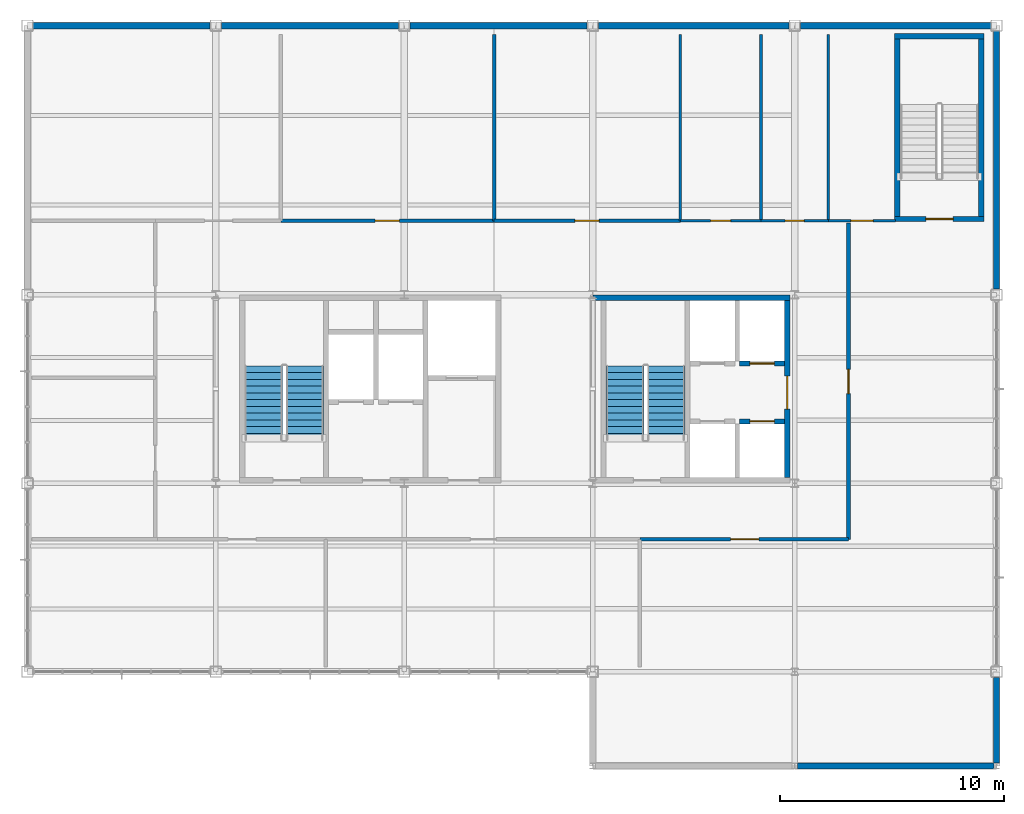
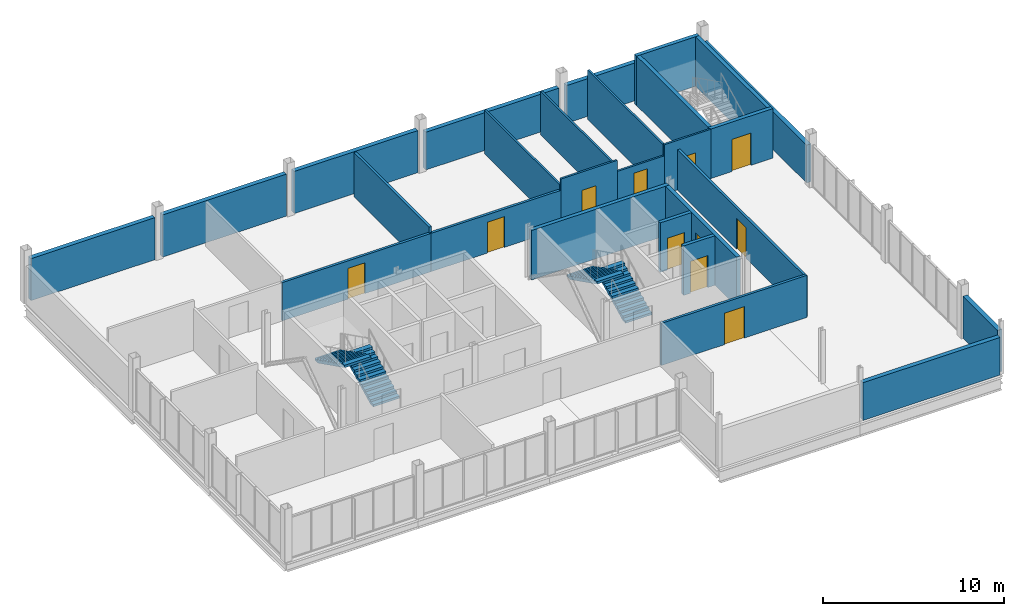
# One storey, part 13 of 16: 27 walls, 11 doors, 4 stair flights, 11 openings, 2 elements without a shape of their own.
"""IFC4 building model written with IfcOpenShell, lengths in metres."""

import ifcopenshell
import ifcopenshell.guid

model = None  # the IFC model being written
_history = None  # IfcOwnerHistory: only IFC2X3 demands one
_inside = {}  # id of a spatial element -> (the spatial element, [elements in it])
_under = {}  # id of a project, library or spatial element -> (it, [spatial elements below it])
_declared = {}  # id of a project -> (the project, [libraries it declares])
_typed = {}  # id of a type object -> (the type object, [elements of that type])
_made_of = {}  # id of a material, layer set ... -> (it, [elements and type objects made of it])


def new_model(schema):
    """Start an empty IFC model of exactly this schema.

    Asked for "IFC4X3", IfcOpenShell would pick the latest addendum, in which some entities
    have other attributes; the version numbers below select the first issue.
    IFC2X3 requires an IfcOwnerHistory on every rooted entity: one is made here for all.
    """
    global model, _history
    if schema == "IFC4X3":
        model = ifcopenshell.file(schema_version=(4, 3, 0, 0))
    else:
        model = ifcopenshell.file(schema=schema)
    _inside.clear()
    _under.clear()
    _declared.clear()
    _typed.clear()
    _made_of.clear()
    _history = None
    if model.schema == "IFC2X3":
        org = make("IfcOrganization", Name="unknown")
        user = make(
            "IfcPersonAndOrganization",
            ThePerson=make("IfcPerson", FamilyName="unknown"),
            TheOrganization=org,
        )
        app = make(
            "IfcApplication",
            ApplicationDeveloper=org,
            Version="unknown",
            ApplicationFullName="unknown",
            ApplicationIdentifier="unknown",
        )
        _history = make(
            "IfcOwnerHistory",
            OwningUser=user,
            OwningApplication=app,
            ChangeAction="ADDED",
            CreationDate=0,
        )
    return model


def make(cls, **values):
    """One entity of the class cls with the attributes given. An attribute that is None is left unset."""
    return model.create_entity(
        cls, **{name: value for name, value in values.items() if value is not None}
    )


def rooted(cls, **values):
    """An entity with a GlobalId (a new one), such as an element, a storey or a relation."""
    return make(cls, GlobalId=ifcopenshell.guid.new(), OwnerHistory=_history, **values)


def si_unit(unit_type, name, prefix=None):
    """IfcSIUnit, for example si_unit("LENGTHUNIT", "METRE", prefix="MILLI")."""
    return make("IfcSIUnit", UnitType=unit_type, Prefix=prefix, Name=name)


def assignment(units):
    """IfcUnitAssignment: the units of a project."""
    return None if units is None else make("IfcUnitAssignment", Units=units)


def point(xyz):
    """IfcCartesianPoint."""
    return None if xyz is None else make("IfcCartesianPoint", Coordinates=xyz)


def direction(xyz):
    """IfcDirection."""
    return None if xyz is None else make("IfcDirection", DirectionRatios=xyz)


def frame(location, z_axis=None, x_axis=None):
    """IfcAxis2Placement3D, a coordinate frame: its origin and axes. An axis left out is left unset."""
    return make(
        "IfcAxis2Placement3D",
        Location=point(location),
        Axis=direction(z_axis),
        RefDirection=direction(x_axis),
    )


def frame_2d(location, x_axis=None):
    """IfcAxis2Placement2D, a coordinate frame in the plane: its origin and x axis."""
    return make(
        "IfcAxis2Placement2D", Location=point(location), RefDirection=direction(x_axis)
    )


def origin():
    """The frame at (0, 0, 0) with its axes left unset."""
    return frame((0.0, 0.0, 0.0))


def place(relative_to, where):
    """IfcLocalPlacement: puts the frame where relative to a parent placement (None: the world)."""
    return make(
        "IfcLocalPlacement", PlacementRelTo=relative_to, RelativePlacement=where
    )


def context(
    kind, dimensions, precision=None, world=None, true_north=None, identifier=None
):
    """IfcGeometricRepresentationContext, for example the 3D "Model" context."""
    return make(
        "IfcGeometricRepresentationContext",
        ContextIdentifier=identifier,
        ContextType=kind,
        CoordinateSpaceDimension=dimensions,
        Precision=precision,
        WorldCoordinateSystem=world,
        TrueNorth=true_north,
    )


def subcontext(parent, identifier, kind, view, scale=None):
    """IfcGeometricRepresentationSubContext, for example "Body" below "Model"."""
    return make(
        "IfcGeometricRepresentationSubContext",
        ContextIdentifier=identifier,
        ContextType=kind,
        ParentContext=parent,
        TargetScale=scale,
        TargetView=view,
    )


def project(units=None, contexts=None):
    """IfcProject with its units and contexts."""
    return rooted(
        "IfcProject",
        Name="project",
        RepresentationContexts=contexts,
        UnitsInContext=assignment(units),
    )


def spatial(cls, under=None, at=None, **own):
    """A site, building, storey or space (cls), placed at a placement, below another one or the project."""
    s = rooted(cls, ObjectPlacement=at, **own)
    if under is not None:
        _under.setdefault(under.id(), (under, []))[1].append(s)
    return s


def polyline(points):
    """IfcPolyline through the points."""
    return make("IfcPolyline", Points=[point(p) for p in points])


def profile(cls, at=None, kind="AREA", **sizes):
    """A parametric profile (cls). Its sizes go by their IFC names, for example OverallWidth=200.0."""
    return make(cls, ProfileType=kind, Position=at, **sizes)


def rectangle(**sizes):
    """IfcRectangleProfileDef."""
    return profile("IfcRectangleProfileDef", **sizes)


def outline(outer, holes=None, kind="AREA"):
    """IfcArbitraryClosedProfileDef: a profile drawn as a closed curve; with holes, ...WithVoids."""
    if holes is None:
        return make("IfcArbitraryClosedProfileDef", ProfileType=kind, OuterCurve=outer)
    return make(
        "IfcArbitraryProfileDefWithVoids",
        ProfileType=kind,
        OuterCurve=outer,
        InnerCurves=holes,
    )


def extrude(swept, where, along, depth):
    """IfcExtrudedAreaSolid: the profile swept, set in the frame where, extruded along a direction by depth."""
    return make(
        "IfcExtrudedAreaSolid",
        SweptArea=swept,
        Position=where,
        ExtrudedDirection=direction(along),
        Depth=depth,
    )


def shape(context_of_items, identifier, shape_type, items):
    """IfcShapeRepresentation: the items that make up one representation, for example the "Body"."""
    return make(
        "IfcShapeRepresentation",
        ContextOfItems=context_of_items,
        RepresentationIdentifier=identifier,
        RepresentationType=shape_type,
        Items=items,
    )


def material(Name=None, Category=None):
    """IfcMaterial."""
    return make("IfcMaterial", Name=Name, Category=Category)


def layer(
    of_material, thickness, ventilated=None, Name=None, Category=None, Priority=None
):
    """IfcMaterialLayer: one layer of a wall or slab, of a material (None: an air gap)."""
    return make(
        "IfcMaterialLayer",
        Material=of_material,
        LayerThickness=thickness,
        IsVentilated=ventilated,
        Name=Name,
        Category=Category,
        Priority=Priority,
    )


def layer_set(layers, Name=None):
    """IfcMaterialLayerSet."""
    return make("IfcMaterialLayerSet", MaterialLayers=layers, LayerSetName=Name)


def made_of(thing, what):
    """Note that an element or type object is made of a material, layer set ...; save() writes the relation."""
    if what is not None:
        _made_of.setdefault(what.id(), (what, []))[1].append(thing)
    return thing


def type_object(cls, material=None, **own):
    """A type object (cls), such as IfcWallType, which elements share."""
    return made_of(rooted(cls, **own), material)


def element(
    cls,
    number,
    at=None,
    inside=None,
    cuts=None,
    type_object=None,
    material=None,
    context=None,
    identifier="Body",
    shape_type=None,
    held_by="IfcProductDefinitionShape",
    body=None,
    shapes=None,
    **own,
):
    """One element of the class cls, such as IfcWall. Its Tag is "e" and its number.

    at: its placement. inside: the storey or other place that contains it. cuts: it is an
    opening in that element (IfcRelVoidsElement). A single representation is given by context,
    identifier, shape_type and body (its items); several are given by shapes. held_by: the class
    of the entity that holds the representations. save() writes the other relations.
    """
    e = rooted(cls, Tag="e%d" % number, ObjectPlacement=at, **own)
    if body is not None:
        shapes = [shape(context, identifier, shape_type, body)]
    if shapes is not None:
        e.Representation = make(held_by, Representations=shapes)
    if inside is not None:
        _inside.setdefault(inside.id(), (inside, []))[1].append(e)
    if cuts is not None:
        rooted(
            "IfcRelVoidsElement", RelatingBuildingElement=cuts, RelatedOpeningElement=e
        )
    if type_object is not None:
        _typed.setdefault(type_object.id(), (type_object, []))[1].append(e)
    return made_of(e, material)


def fill(opening, filler):
    """IfcRelFillsElement: the door or window that sits in an opening."""
    return rooted(
        "IfcRelFillsElement",
        RelatingOpeningElement=opening,
        RelatedBuildingElement=filler,
    )


def aggregate(whole, parts):
    """IfcRelAggregates: a whole, such as a stair, and the parts it consists of."""
    return rooted("IfcRelAggregates", RelatingObject=whole, RelatedObjects=parts)


def save(model, path):
    """Write the relations noted so far, then the file.

    IfcRelAggregates (storeys below a building ...), IfcRelContainedInSpatialStructure (elements
    in a storey), IfcRelDefinesByType, IfcRelAssociatesMaterial and IfcRelDeclares: one each for
    every whole, place, type object, material and project.
    """
    for whole, parts in _under.values():
        aggregate(whole, parts)
    for where, things in _inside.values():
        rooted(
            "IfcRelContainedInSpatialStructure",
            RelatedElements=things,
            RelatingStructure=where,
        )
    for kind, things in _typed.values():
        rooted("IfcRelDefinesByType", RelatedObjects=things, RelatingType=kind)
    for what, things in _made_of.values():
        rooted("IfcRelAssociatesMaterial", RelatedObjects=things, RelatingMaterial=what)
    for by, libraries in _declared.values():
        rooted("IfcRelDeclares", RelatingContext=by, RelatedDefinitions=libraries)
    model.write(path)


model = new_model("IFC4")

# Units and contexts
model_context = context("Model", 3, precision=1e-05, world=origin(), true_north=direction((0.0, 1.0)))
body_context = subcontext(model_context, "Body", "Model", "MODEL_VIEW")
ifc_project = project(units=[si_unit("LENGTHUNIT", "METRE"), si_unit("AREAUNIT", "SQUARE_METRE"), si_unit("VOLUMEUNIT", "CUBIC_METRE"), si_unit("PLANEANGLEUNIT", "RADIAN"), si_unit("MASSUNIT", "GRAM", prefix="KILO")], contexts=[model_context])

# Site, building, storey
site_placement = place(None, origin())
site = spatial("IfcSite", under=ifc_project, at=site_placement, CompositionType="ELEMENT")
building_placement = place(site_placement, origin())
building = spatial("IfcBuilding", under=site, at=building_placement, Name="Yukiwa Park Conservatory and Herbarium", CompositionType="ELEMENT")
storey_placement = place(building_placement, frame((0.0, 0.0, 39.60009765625)))
storey = spatial("IfcBuildingStorey", under=building, at=storey_placement, Name="L10", CompositionType="ELEMENT", Elevation=39.60009765625)

# Wall, opening, door
ifc_material_1 = material(Name="Concrete C40", Category="concrete")
ifc_layer_1 = layer(ifc_material_1, 0.219970703125)
ifc_layer_set_1 = layer_set([ifc_layer_1], Name="Concrete C40")
wall_type_1 = type_object("IfcWallType", Name="WL-CORE-RC220", PredefinedType="SHEAR", material=ifc_layer_set_1)
wall_1_placement = place(storey_placement, frame((156.550048828125, 100.139892578125, 0.0), z_axis=(0.0, 0.0, 1.0), x_axis=(1.0, 0.0, 0.0)))
wall_1 = element("IfcWall", 1, at=wall_1_placement, inside=storey, type_object=wall_type_1, Name="L10 core shear wall 631", PredefinedType="SHEAR", context=body_context, shape_type="SweptSolid", body=[
    extrude(rectangle(XDim=2.0, YDim=0.219970703125, at=frame_2d((1.0, 0.0))), origin(), (0.0, 0.0, 1.0), 3.341796875),
])
opening_1_placement = place(wall_1_placement, frame((0.449951171875, 0.0, 0.0)))
opening_1 = element("IfcOpeningElement", 2, at=opening_1_placement, cuts=wall_1, Name="Opening LD-01", PredefinedType="OPENING", context=body_context, shape_type="SweptSolid", body=[
    extrude(rectangle(XDim=1.10009765625, YDim=2.14990234375, at=frame_2d((0.550048828125, 1.074951171875))), frame((0.0, 0.1201171875, 0.0), z_axis=(0.0, -1.0, 0.0), x_axis=(1.0, 0.0, 0.0)), (0.0, 0.0, 1.0), 0.239990234375),
])
ifc_material_2 = material(Name="Steel Q235B", Category="steel")
door_type_1 = type_object("IfcDoorType", Name="DR-LIFT-LD1100", OperationType="SLIDING_TO_LEFT", PredefinedType="DOOR", material=ifc_material_2)
door_1_placement = place(opening_1_placement, origin())
door_1 = element("IfcDoor", 3, at=door_1_placement, inside=storey, type_object=door_type_1, Name="L10 Passenger Lift LP2 sliding landing door", OperationType="SLIDING_TO_LEFT", OverallHeight=2.14990234375, OverallWidth=1.10009765625, PredefinedType="DOOR", context=body_context, shape_type="SweptSolid", body=[
    extrude(rectangle(XDim=1.10009765625, YDim=2.14990234375, at=frame_2d((0.550048828125, 1.074951171875))), frame((0.0, 0.02490234375, 0.0), z_axis=(0.0, -1.0, 0.0), x_axis=(1.0, 0.0, 0.0)), (0.0, 0.0, 1.0), 0.050048828125),
])
fill(opening_1, door_1)

wall_2_placement = place(storey_placement, frame((156.550048828125, 97.56005859375, 0.0), z_axis=(0.0, 0.0, 1.0), x_axis=(1.0, 0.0, 0.0)))
wall_2 = element("IfcWall", 4, at=wall_2_placement, inside=storey, type_object=wall_type_1, Name="L10 core shear wall 634", PredefinedType="SHEAR", context=body_context, shape_type="SweptSolid", body=[
    extrude(rectangle(XDim=2.0, YDim=0.219970703125, at=frame_2d((1.0, 0.0))), origin(), (0.0, 0.0, 1.0), 3.341796875),
])
opening_2_placement = place(wall_2_placement, frame((0.449951171875, 0.0, 0.0)))
opening_2 = element("IfcOpeningElement", 5, at=opening_2_placement, cuts=wall_2, Name="Opening LD-01", PredefinedType="OPENING", context=body_context, shape_type="SweptSolid", body=[
    extrude(rectangle(XDim=1.10009765625, YDim=2.14990234375, at=frame_2d((0.550048828125, 1.074951171875))), frame((0.0, 0.1201171875, 0.0), z_axis=(0.0, -1.0, 0.0), x_axis=(1.0, 0.0, 0.0)), (0.0, 0.0, 1.0), 0.239990234375),
])
door_2_placement = place(opening_2_placement, origin())
door_2 = element("IfcDoor", 6, at=door_2_placement, inside=storey, type_object=door_type_1, Name="L10 Passenger Lift LP4 sliding landing door", OperationType="SLIDING_TO_LEFT", OverallHeight=2.14990234375, OverallWidth=1.10009765625, PredefinedType="DOOR", context=body_context, shape_type="SweptSolid", body=[
    extrude(rectangle(XDim=1.10009765625, YDim=2.14990234375, at=frame_2d((0.550048828125, 1.074951171875))), frame((0.0, 0.02490234375, 0.0), z_axis=(0.0, -1.0, 0.0), x_axis=(1.0, 0.0, 0.0)), (0.0, 0.0, 1.0), 0.050048828125),
])
fill(opening_2, door_2)

# Wall
ifc_material_3 = material(Name="Concrete C50", Category="concrete")
ifc_layer_2 = layer(ifc_material_3, 0.239990234375)
ifc_layer_set_2 = layer_set([ifc_layer_2], Name="Concrete C50")
wall_type_2 = type_object("IfcWallType", Name="WL-CORE-RC240", PredefinedType="SHEAR", material=ifc_layer_set_2)
wall_3_placement = place(storey_placement, frame((150.02001953125, 103.070068359375, 0.0), z_axis=(0.0, 0.0, 1.0), x_axis=(1.0, 0.0, 0.0)))
element("IfcWall", 7, at=wall_3_placement, inside=storey, type_object=wall_type_2, Name="L10 core shear wall 625", PredefinedType="SHEAR", context=body_context, shape_type="SweptSolid", body=[
    extrude(rectangle(XDim=8.77001953125, YDim=0.239990234375, at=frame_2d((4.385009765625, 0.0))), origin(), (0.0, 0.0, 1.0), 3.341796875),
])

# Wall, opening, door
wall_4_placement = place(storey_placement, frame((158.669921875, 95.050048828125, 0.0), z_axis=(0.0, 0.0, 1.0), x_axis=(0.0, 1.0, 0.0)))
wall_4 = element("IfcWall", 8, at=wall_4_placement, inside=storey, type_object=wall_type_2, Name="L10 core shear wall 628", PredefinedType="SHEAR", context=body_context, shape_type="SweptSolid", body=[
    extrude(rectangle(XDim=7.89990234375, YDim=0.239990234375, at=frame_2d((3.949951171875, 0.0))), origin(), (0.0, 0.0, 1.0), 3.341796875),
])
opening_3_placement = place(wall_4_placement, frame((3.050048828125, 0.0, 0.0)))
opening_3 = element("IfcOpeningElement", 9, at=opening_3_placement, cuts=wall_4, Name="Opening FD-07", PredefinedType="OPENING", context=body_context, shape_type="SweptSolid", body=[
    extrude(rectangle(XDim=1.47998046875, YDim=2.219970703125, at=frame_2d((0.739990234375, 1.10986328125))), frame((0.0, 0.1298828125, 0.0), z_axis=(0.0, -1.0, 0.0), x_axis=(1.0, 0.0, 0.0)), (0.0, 0.0, 1.0), 0.260009765625),
])
ifc_material_4 = material(Name="Steel Q235B", Category="steel")
door_type_2 = type_object("IfcDoorType", Name="DR-FIRE-FD60-1500", OperationType="DOUBLE_DOOR_SINGLE_SWING", PredefinedType="DOOR", material=ifc_material_4)
door_3_placement = place(opening_3_placement, origin())
door_3 = element("IfcDoor", 10, at=door_3_placement, inside=storey, type_object=door_type_2, Name="L10 Tower Passenger Lift Lobby double fire door", OperationType="DOUBLE_DOOR_SINGLE_SWING", OverallHeight=2.219970703125, OverallWidth=1.47998046875, PredefinedType="DOOR", context=body_context, shape_type="SweptSolid", body=[
    extrude(rectangle(XDim=1.47998046875, YDim=2.219970703125, at=frame_2d((0.739990234375, 1.10986328125))), frame((0.0, 0.02490234375, 0.0), z_axis=(0.0, -1.0, 0.0), x_axis=(1.0, 0.0, 0.0)), (0.0, 0.0, 1.0), 0.050048828125),
])
fill(opening_3, door_3)

wall_5_placement = place(storey_placement, frame((163.449951171875, 106.580078125, 0.0), z_axis=(0.0, 0.0, 1.0), x_axis=(1.0, 0.0, 0.0)))
wall_5 = element("IfcWall", 11, at=wall_5_placement, inside=storey, type_object=wall_type_2, Name="L10 core shear wall 635", PredefinedType="SHEAR", context=body_context, shape_type="SweptSolid", body=[
    extrude(rectangle(XDim=3.989990234375, YDim=0.239990234375, at=frame_2d((1.9951171875, 0.0))), origin(), (0.0, 0.0, 1.0), 3.341796875),
])
opening_4_placement = place(wall_5_placement, frame((1.39501953125, 0.0, 0.0)))
opening_4 = element("IfcOpeningElement", 12, at=opening_4_placement, cuts=wall_5, Name="Opening SD-01", PredefinedType="OPENING", context=body_context, shape_type="SweptSolid", body=[
    extrude(rectangle(XDim=1.219970703125, YDim=2.179931640625, at=frame_2d((0.60986328125, 1.08984375))), frame((0.0, 0.1298828125, 0.0), z_axis=(0.0, -1.0, 0.0), x_axis=(1.0, 0.0, 0.0)), (0.0, 0.0, 1.0), 0.260009765625),
])
ifc_material_5 = material(Name="Steel Q235B", Category="steel")
door_type_3 = type_object("IfcDoorType", Name="DR-STAIR-FD90-1200", OperationType="SINGLE_SWING_LEFT", PredefinedType="DOOR", material=ifc_material_5)
door_4_placement = place(opening_4_placement, origin())
door_4 = element("IfcDoor", 13, at=door_4_placement, inside=storey, type_object=door_type_3, Name="L10 Stairwell ST-T3 fire door", OperationType="SINGLE_SWING_LEFT", OverallHeight=2.179931640625, OverallWidth=1.219970703125, PredefinedType="DOOR", context=body_context, shape_type="SweptSolid", body=[
    extrude(rectangle(XDim=1.219970703125, YDim=2.179931640625, at=frame_2d((0.60986328125, 1.08984375))), frame((0.0, 0.02490234375, 0.0), z_axis=(0.0, -1.0, 0.0), x_axis=(1.0, 0.0, 0.0)), (0.0, 0.0, 1.0), 0.050048828125),
])
fill(opening_4, door_4)

# Walls
wall_6_placement = place(storey_placement, frame((163.449951171875, 114.719970703125, 0.0), z_axis=(0.0, 0.0, 1.0), x_axis=(1.0, 0.0, 0.0)))
element("IfcWall", 14, at=wall_6_placement, inside=storey, type_object=wall_type_2, Name="L10 core shear wall 636", PredefinedType="SHEAR", context=body_context, shape_type="SweptSolid", body=[
    extrude(rectangle(XDim=3.989990234375, YDim=0.239990234375, at=frame_2d((1.9951171875, 0.0))), origin(), (0.0, 0.0, 1.0), 3.341796875),
])
for number, where, z_axis, x_axis, name in (
    (15, (163.570068359375, 106.699951171875, 0.0), (0.0, 0.0, 1.0), (0.0, 1.0, 0.0), "L10 core shear wall 637"),
    (16, (167.320068359375, 106.699951171875, 0.0), (0.0, 0.0, 1.0), (0.0, 1.0, 0.0), "L10 core shear wall 638"),
):
    element("IfcWall", number, at=place(storey_placement, frame(where, z_axis=z_axis, x_axis=x_axis)), inside=storey, type_object=wall_type_2, Name=name, PredefinedType="SHEAR", context=body_context, shape_type="SweptSolid", body=[
        extrude(rectangle(XDim=7.900146484375, YDim=0.239990234375, at=frame_2d((3.9501953125, 0.0))), origin(), (0.0, 0.0, 1.0), 3.341796875),
    ])
ifc_material_6 = material(Name="Pale Granite Cladding", Category="masonry")
ifc_layer_3 = layer(ifc_material_6, 0.280029296875)
ifc_layer_set_3 = layer_set([ifc_layer_3], Name="Pale Granite Cladding")
wall_type_3 = type_object("IfcWallType", Name="WL-EXT-GRAN-280", PredefinedType="SOLIDWALL", material=ifc_layer_set_3)
wall_7_placement = place(storey_placement, frame((168.0, 82.324951171875, 0.0), z_axis=(0.0, 0.0, 1.0), x_axis=(0.0, 1.0, 0.0)))
element("IfcWall", 17, at=wall_7_placement, inside=storey, type_object=wall_type_3, Name="L10 exterior envelope wall 348", PredefinedType="SOLIDWALL", context=body_context, shape_type="SweptSolid", body=[
    extrude(rectangle(XDim=3.824951171875, YDim=0.280029296875, at=frame_2d((1.91259765625, 0.0))), origin(), (0.0, 0.0, 1.0), 2.847900390625),
])
wall_8_placement = place(storey_placement, frame((168.0, 103.449951171875, 0.0), z_axis=(0.0, 0.0, 1.0), x_axis=(0.0, 1.0, 0.0)))
element("IfcWall", 18, at=wall_8_placement, inside=storey, type_object=wall_type_3, Name="L10 exterior envelope wall 349", PredefinedType="SOLIDWALL", context=body_context, shape_type="SweptSolid", body=[
    extrude(rectangle(XDim=11.5, YDim=0.280029296875, at=frame_2d((5.75, 0.0))), origin(), (0.0, 0.0, 1.0), 2.5498046875),
])
for number, where, z_axis, x_axis, name in (
    (19, (167.75, 115.199951171875, 0.0), (0.0, 0.0, 1.0), (-1.0, 0.0, 0.0), "L10 exterior envelope wall 350"),
    (20, (158.75, 115.199951171875, 0.0), (0.0, 0.0, 1.0), (-1.0, 0.0, 0.0), "L10 exterior envelope wall 351"),
):
    element("IfcWall", number, at=place(storey_placement, frame(where, z_axis=z_axis, x_axis=x_axis)), inside=storey, type_object=wall_type_3, Name=name, PredefinedType="SOLIDWALL", context=body_context, shape_type="SweptSolid", body=[
        extrude(rectangle(XDim=8.5, YDim=0.280029296875, at=frame_2d((4.25, 0.0))), origin(), (0.0, 0.0, 1.0), 2.5498046875),
    ])
wall_9_placement = place(storey_placement, frame((149.75, 115.199951171875, 0.0), z_axis=(0.0, 0.0, 1.0), x_axis=(-1.0, 0.0, 0.0)))
element("IfcWall", 21, at=wall_9_placement, inside=storey, type_object=wall_type_3, Name="L10 exterior envelope wall 352", PredefinedType="SOLIDWALL", context=body_context, shape_type="SweptSolid", body=[
    extrude(rectangle(XDim=7.89990234375, YDim=0.280029296875, at=frame_2d((3.949951171875, 0.0))), origin(), (0.0, 0.0, 1.0), 2.841796875),
])
wall_10_placement = place(storey_placement, frame((141.35009765625, 115.199951171875, 0.0), z_axis=(0.0, 0.0, 1.0), x_axis=(-1.0, 0.0, 0.0)))
element("IfcWall", 22, at=wall_10_placement, inside=storey, type_object=wall_type_3, Name="L10 exterior envelope wall 353", PredefinedType="SOLIDWALL", context=body_context, shape_type="SweptSolid", body=[
    extrude(rectangle(XDim=7.900146484375, YDim=0.280029296875, at=frame_2d((3.9501953125, 0.0))), origin(), (0.0, 0.0, 1.0), 2.841796875),
])
wall_11_placement = place(storey_placement, frame((132.949951171875, 115.199951171875, 0.0), z_axis=(0.0, 0.0, 1.0), x_axis=(-1.0, 0.0, 0.0)))
element("IfcWall", 23, at=wall_11_placement, inside=storey, type_object=wall_type_3, Name="L10 exterior envelope wall 354", PredefinedType="SOLIDWALL", context=body_context, shape_type="SweptSolid", body=[
    extrude(rectangle(XDim=7.89990234375, YDim=0.280029296875, at=frame_2d((3.949951171875, 0.0))), origin(), (0.0, 0.0, 1.0), 2.841796875),
])
wall_12_placement = place(storey_placement, frame((159.125, 82.199951171875, 0.0), z_axis=(0.0, 0.0, 1.0), x_axis=(1.0, 0.0, 0.0)))
element("IfcWall", 24, at=wall_12_placement, inside=storey, type_object=wall_type_3, Name="L10 exterior envelope wall 358", PredefinedType="SOLIDWALL", context=body_context, shape_type="SweptSolid", body=[
    extrude(rectangle(XDim=8.75, YDim=0.280029296875, at=frame_2d((4.375, 0.0))), origin(), (0.0, 0.0, 1.0), 2.5498046875),
])

# Wall, opening, door
ifc_material_7 = material(Name="Gypsum Board Partition", Category="gypsum")
ifc_layer_4 = layer(ifc_material_7, 0.159912109375)
ifc_layer_set_4 = layer_set([ifc_layer_4], Name="Gypsum Board Partition")
wall_type_4 = type_object("IfcWallType", Name="WL-PART-GYP-160", PredefinedType="PARTITIONING", material=ifc_layer_set_4)
wall_13_placement = place(storey_placement, frame((161.39990234375, 92.300048828125, 0.0), z_axis=(0.0, 0.0, 1.0), x_axis=(0.0, 1.0, 0.0)))
wall_13 = element("IfcWall", 25, at=wall_13_placement, inside=storey, type_object=wall_type_4, Name="L10 interior partition wall 645", PredefinedType="PARTITIONING", context=body_context, shape_type="SweptSolid", body=[
    extrude(rectangle(XDim=14.099853515625, YDim=0.159912109375, at=frame_2d((7.0498046875, 0.0))), origin(), (0.0, 0.0, 1.0), 2.745849609375),
])
opening_5_placement = place(wall_13_placement, frame((6.5, 0.0, 0.0)))
opening_5 = element("IfcOpeningElement", 26, at=opening_5_placement, cuts=wall_13, Name="Opening ID-11", PredefinedType="OPENING", context=body_context, shape_type="SweptSolid", body=[
    extrude(rectangle(XDim=1.080078125, YDim=2.080078125, at=frame_2d((0.5400390625, 1.0400390625))), frame((0.0, 0.08984375, 0.0), z_axis=(0.0, -1.0, 0.0), x_axis=(1.0, 0.0, 0.0)), (0.0, 0.0, 1.0), 0.179931640625),
])
ifc_material_8 = material(Name="Charred Larch Cladding", Category="wood")
door_type_4 = type_object("IfcDoorType", Name="DR-INT-1100", OperationType="SINGLE_SWING_RIGHT", PredefinedType="DOOR", material=ifc_material_8)
door_5_placement = place(opening_5_placement, origin())
door_5 = element("IfcDoor", 27, at=door_5_placement, inside=storey, type_object=door_type_4, Name="L10 L10 east room door", OperationType="SINGLE_SWING_RIGHT", OverallHeight=2.080078125, OverallWidth=1.080078125, PredefinedType="DOOR", context=body_context, shape_type="SweptSolid", body=[
    extrude(rectangle(XDim=1.080078125, YDim=2.080078125, at=frame_2d((0.5400390625, 1.0400390625))), frame((0.0, 0.02490234375, 0.0), z_axis=(0.0, -1.0, 0.0), x_axis=(1.0, 0.0, 0.0)), (0.0, 0.0, 1.0), 0.050048828125),
])
fill(opening_5, door_5)

wall_14_placement = place(storey_placement, frame((152.10009765625, 92.300048828125, 0.0), z_axis=(0.0, 0.0, 1.0), x_axis=(1.0, 0.0, 0.0)))
wall_14 = element("IfcWall", 28, at=wall_14_placement, inside=storey, type_object=wall_type_4, Name="L10 interior partition wall 648", PredefinedType="PARTITIONING", context=body_context, shape_type="SweptSolid", body=[
    extrude(rectangle(XDim=9.2998046875, YDim=0.159912109375, at=frame_2d((4.64990234375, 0.0))), origin(), (0.0, 0.0, 1.0), 2.841796875),
])
opening_6_placement = place(wall_14_placement, frame((4.050048828125, 0.0, 0.0)))
opening_6 = element("IfcOpeningElement", 29, at=opening_6_placement, cuts=wall_14, Name="Opening LD-12", PredefinedType="OPENING", context=body_context, shape_type="SweptSolid", body=[
    extrude(rectangle(XDim=1.25, YDim=2.1201171875, at=frame_2d((0.625, 1.06005859375))), frame((0.0, 0.08984375, 0.0), z_axis=(0.0, -1.0, 0.0), x_axis=(1.0, 0.0, 0.0)), (0.0, 0.0, 1.0), 0.179931640625),
])
ifc_material_9 = material(Name="Steel Q235B", Category="steel")
door_type_5 = type_object("IfcDoorType", Name="DR-LAB-1200", OperationType="SINGLE_SWING_LEFT", PredefinedType="DOOR", material=ifc_material_9)
door_6_placement = place(opening_6_placement, origin())
door_6 = element("IfcDoor", 30, at=door_6_placement, inside=storey, type_object=door_type_5, Name="L10 Assay Lab door", OperationType="SINGLE_SWING_LEFT", OverallHeight=2.1201171875, OverallWidth=1.25, PredefinedType="DOOR", context=body_context, shape_type="SweptSolid", body=[
    extrude(rectangle(XDim=1.25, YDim=2.1201171875, at=frame_2d((0.625, 1.06005859375))), frame((0.0, 0.02490234375, 0.0), z_axis=(0.0, -1.0, 0.0), x_axis=(1.0, 0.0, 0.0)), (0.0, 0.0, 1.0), 0.050048828125),
])
fill(opening_6, door_6)

wall_15_placement = place(storey_placement, frame((136.10009765625, 106.5, 0.0), z_axis=(0.0, 0.0, 1.0), x_axis=(1.0, 0.0, 0.0)))
wall_15 = element("IfcWall", 31, at=wall_15_placement, inside=storey, type_object=wall_type_4, Name="L10 interior partition wall 657", PredefinedType="PARTITIONING", context=body_context, shape_type="SweptSolid", body=[
    extrude(rectangle(XDim=9.5, YDim=0.159912109375, at=frame_2d((4.75, 0.0))), origin(), (0.0, 0.0, 1.0), 2.591796875),
])
opening_7_placement = place(wall_15_placement, frame((4.199951171875, 0.0, 0.0)))
opening_7 = element("IfcOpeningElement", 32, at=opening_7_placement, cuts=wall_15, Name="Opening ID-11", PredefinedType="OPENING", context=body_context, shape_type="SweptSolid", body=[
    extrude(rectangle(XDim=1.080078125, YDim=2.080078125, at=frame_2d((0.5400390625, 1.0400390625))), frame((0.0, 0.08984375, 0.0), z_axis=(0.0, -1.0, 0.0), x_axis=(1.0, 0.0, 0.0)), (0.0, 0.0, 1.0), 0.179931640625),
])
door_7_placement = place(opening_7_placement, origin())
door_7 = element("IfcDoor", 33, at=door_7_placement, inside=storey, type_object=door_type_4, Name="L10 Tree-Ring Archive door", OperationType="SINGLE_SWING_RIGHT", OverallHeight=2.080078125, OverallWidth=1.080078125, PredefinedType="DOOR", context=body_context, shape_type="SweptSolid", body=[
    extrude(rectangle(XDim=1.080078125, YDim=2.080078125, at=frame_2d((0.5400390625, 1.0400390625))), frame((0.0, 0.02490234375, 0.0), z_axis=(0.0, -1.0, 0.0), x_axis=(1.0, 0.0, 0.0)), (0.0, 0.0, 1.0), 0.050048828125),
])
fill(opening_7, door_7)

wall_16_placement = place(storey_placement, frame((145.60009765625, 106.5, 0.0), z_axis=(0.0, 0.0, 1.0), x_axis=(1.0, 0.0, 0.0)))
wall_16 = element("IfcWall", 34, at=wall_16_placement, inside=storey, type_object=wall_type_4, Name="L10 interior partition wall 658", PredefinedType="PARTITIONING", context=body_context, shape_type="SweptSolid", body=[
    extrude(rectangle(XDim=8.2998046875, YDim=0.159912109375, at=frame_2d((4.14990234375, 0.0))), origin(), (0.0, 0.0, 1.0), 2.591796875),
])
opening_8_placement = place(wall_16_placement, frame((3.60009765625, 0.0, 0.0)))
opening_8 = element("IfcOpeningElement", 35, at=opening_8_placement, cuts=wall_16, Name="Opening ID-11", PredefinedType="OPENING", context=body_context, shape_type="SweptSolid", body=[
    extrude(rectangle(XDim=1.080078125, YDim=2.080078125, at=frame_2d((0.5400390625, 1.0400390625))), frame((0.0, 0.08984375, 0.0), z_axis=(0.0, -1.0, 0.0), x_axis=(1.0, 0.0, 0.0)), (0.0, 0.0, 1.0), 0.179931640625),
])
door_8_placement = place(opening_8_placement, origin())
door_8 = element("IfcDoor", 36, at=door_8_placement, inside=storey, type_object=door_type_4, Name="L10 Briefing Room door", OperationType="SINGLE_SWING_RIGHT", OverallHeight=2.080078125, OverallWidth=1.080078125, PredefinedType="DOOR", context=body_context, shape_type="SweptSolid", body=[
    extrude(rectangle(XDim=1.080078125, YDim=2.080078125, at=frame_2d((0.5400390625, 1.0400390625))), frame((0.0, 0.02490234375, 0.0), z_axis=(0.0, -1.0, 0.0), x_axis=(1.0, 0.0, 0.0)), (0.0, 0.0, 1.0), 0.050048828125),
])
fill(opening_8, door_8)

# Wall
wall_17_placement = place(storey_placement, frame((145.60009765625, 106.5, 0.0), z_axis=(0.0, 0.0, 1.0), x_axis=(0.0, 1.0, 0.0)))
element("IfcWall", 37, at=wall_17_placement, inside=storey, type_object=wall_type_4, Name="L10 interior partition wall 660", PredefinedType="PARTITIONING", context=body_context, shape_type="SweptSolid", body=[
    extrude(rectangle(XDim=8.300048828125, YDim=0.159912109375, at=frame_2d((4.14990234375, 0.0))), origin(), (0.0, 0.0, 1.0), 2.991943359375),
])

# Wall, opening, door
ifc_material_10 = material(Name="Gypsum Board Partition", Category="gypsum")
ifc_layer_5 = layer(ifc_material_10, 0.1201171875)
ifc_layer_set_5 = layer_set([ifc_layer_5], Name="Gypsum Board Partition")
wall_type_5 = type_object("IfcWallType", Name="WL-PART-WET-150", PredefinedType="PARTITIONING", material=ifc_layer_set_5)
wall_18_placement = place(storey_placement, frame((153.89990234375, 106.5, 0.0), z_axis=(0.0, 0.0, 1.0), x_axis=(1.0, 0.0, 0.0)))
wall_18 = element("IfcWall", 38, at=wall_18_placement, inside=storey, type_object=wall_type_5, Name="L10 interior partition wall 639", PredefinedType="PARTITIONING", context=body_context, shape_type="SweptSolid", body=[
    extrude(rectangle(XDim=3.60009765625, YDim=0.1201171875, at=frame_2d((1.800048828125, 0.0))), origin(), (0.0, 0.0, 1.0), 3.341796875),
])
opening_9_placement = place(wall_18_placement, frame((1.35009765625, 0.0, 0.0)))
opening_9 = element("IfcOpeningElement", 39, at=opening_9_placement, cuts=wall_18, Name="Opening ID-09", PredefinedType="OPENING", context=body_context, shape_type="SweptSolid", body=[
    extrude(rectangle(XDim=0.89990234375, YDim=2.10009765625, at=frame_2d((0.449951171875, 1.050048828125))), frame((0.0, 0.070068359375, 0.0), z_axis=(0.0, -1.0, 0.0), x_axis=(1.0, 0.0, 0.0)), (0.0, 0.0, 1.0), 0.14013671875),
])
ifc_material_11 = material(Name="Charred Larch Cladding", Category="wood")
door_type_6 = type_object("IfcDoorType", Name="DR-INT-900", OperationType="SINGLE_SWING_LEFT", PredefinedType="DOOR", material=ifc_material_11)
door_9_placement = place(opening_9_placement, origin())
door_9 = element("IfcDoor", 40, at=door_9_placement, inside=storey, type_object=door_type_6, Name="L10 Public WC door", OperationType="SINGLE_SWING_LEFT", OverallHeight=2.10009765625, OverallWidth=0.89990234375, PredefinedType="DOOR", context=body_context, shape_type="SweptSolid", body=[
    extrude(rectangle(XDim=0.89990234375, YDim=2.10009765625, at=frame_2d((0.449951171875, 1.050048828125))), frame((0.0, 0.02490234375, 0.0), z_axis=(0.0, -1.0, 0.0), x_axis=(1.0, 0.0, 0.0)), (0.0, 0.0, 1.0), 0.050048828125),
])
fill(opening_9, door_9)

wall_19_placement = place(storey_placement, frame((157.5, 106.5, 0.0), z_axis=(0.0, 0.0, 1.0), x_axis=(1.0, 0.0, 0.0)))
wall_19 = element("IfcWall", 41, at=wall_19_placement, inside=storey, type_object=wall_type_5, Name="L10 interior partition wall 640", PredefinedType="PARTITIONING", context=body_context, shape_type="SweptSolid", body=[
    extrude(rectangle(XDim=3.0, YDim=0.1201171875, at=frame_2d((1.5, 0.0))), origin(), (0.0, 0.0, 1.0), 2.591796875),
])
opening_10_placement = place(wall_19_placement, frame((1.074951171875, 0.0, 0.0)))
opening_10 = element("IfcOpeningElement", 42, at=opening_10_placement, cuts=wall_19, Name="Opening ID-85", PredefinedType="OPENING", context=body_context, shape_type="SweptSolid", body=[
    extrude(rectangle(XDim=0.85009765625, YDim=2.10009765625, at=frame_2d((0.425048828125, 1.050048828125))), frame((0.0, 0.070068359375, 0.0), z_axis=(0.0, -1.0, 0.0), x_axis=(1.0, 0.0, 0.0)), (0.0, 0.0, 1.0), 0.14013671875),
])
ifc_material_12 = material(Name="Charred Larch Cladding", Category="wood")
door_type_7 = type_object("IfcDoorType", Name="DR-INT-850", OperationType="SINGLE_SWING_RIGHT", PredefinedType="DOOR", material=ifc_material_12)
door_10_placement = place(opening_10_placement, origin())
door_10 = element("IfcDoor", 43, at=door_10_placement, inside=storey, type_object=door_type_7, Name="L10 Staff WC door", OperationType="SINGLE_SWING_RIGHT", OverallHeight=2.10009765625, OverallWidth=0.85009765625, PredefinedType="DOOR", context=body_context, shape_type="SweptSolid", body=[
    extrude(rectangle(XDim=0.85009765625, YDim=2.10009765625, at=frame_2d((0.425048828125, 1.050048828125))), frame((0.0, 0.02490234375, 0.0), z_axis=(0.0, -1.0, 0.0), x_axis=(1.0, 0.0, 0.0)), (0.0, 0.0, 1.0), 0.050048828125),
])
fill(opening_10, door_10)

wall_20_placement = place(storey_placement, frame((160.5, 106.5, 0.0), z_axis=(0.0, 0.0, 1.0), x_axis=(1.0, 0.0, 0.0)))
wall_20 = element("IfcWall", 44, at=wall_20_placement, inside=storey, type_object=wall_type_5, Name="L10 interior partition wall 641", PredefinedType="PARTITIONING", context=body_context, shape_type="SweptSolid", body=[
    extrude(rectangle(XDim=3.0, YDim=0.1201171875, at=frame_2d((1.5, 0.0))), origin(), (0.0, 0.0, 1.0), 3.341796875),
])
opening_11_placement = place(wall_20_placement, frame((1.0, 0.0, 0.0)))
opening_11 = element("IfcOpeningElement", 45, at=opening_11_placement, cuts=wall_20, Name="Opening ID-10", PredefinedType="OPENING", context=body_context, shape_type="SweptSolid", body=[
    extrude(rectangle(XDim=1.0, YDim=2.10009765625, at=frame_2d((0.5, 1.050048828125))), frame((0.0, 0.070068359375, 0.0), z_axis=(0.0, -1.0, 0.0), x_axis=(1.0, 0.0, 0.0)), (0.0, 0.0, 1.0), 0.14013671875),
])
ifc_material_13 = material(Name="Charred Larch Cladding", Category="wood")
door_type_8 = type_object("IfcDoorType", Name="DR-ACC-1000", OperationType="SINGLE_SWING_LEFT", PredefinedType="DOOR", material=ifc_material_13)
door_11_placement = place(opening_11_placement, origin())
door_11 = element("IfcDoor", 46, at=door_11_placement, inside=storey, type_object=door_type_8, Name="L10 Accessible WC door", OperationType="SINGLE_SWING_LEFT", OverallHeight=2.10009765625, OverallWidth=1.0, PredefinedType="DOOR", context=body_context, shape_type="SweptSolid", body=[
    extrude(rectangle(XDim=1.0, YDim=2.10009765625, at=frame_2d((0.5, 1.050048828125))), frame((0.0, 0.02490234375, 0.0), z_axis=(0.0, -1.0, 0.0), x_axis=(1.0, 0.0, 0.0)), (0.0, 0.0, 1.0), 0.050048828125),
])
fill(opening_11, door_11)

# Walls
for number, where, z_axis, x_axis, name in (
    (47, (153.89990234375, 106.5, 0.0), (0.0, 0.0, 1.0), (0.0, 1.0, 0.0), "L10 interior partition wall 642"),
    (48, (157.5, 106.5, 0.0), (0.0, 0.0, 1.0), (0.0, 1.0, 0.0), "L10 interior partition wall 643"),
):
    element("IfcWall", number, at=place(storey_placement, frame(where, z_axis=z_axis, x_axis=x_axis)), inside=storey, type_object=wall_type_5, Name=name, PredefinedType="PARTITIONING", context=body_context, shape_type="SweptSolid", body=[
        extrude(rectangle(XDim=8.300048828125, YDim=0.1201171875, at=frame_2d((4.14990234375, 0.0))), origin(), (0.0, 0.0, 1.0), 2.94189453125),
    ])
wall_21_placement = place(storey_placement, frame((160.5, 106.5, 0.0), z_axis=(0.0, 0.0, 1.0), x_axis=(0.0, 1.0, 0.0)))
element("IfcWall", 49, at=wall_21_placement, inside=storey, type_object=wall_type_5, Name="L10 interior partition wall 644", PredefinedType="PARTITIONING", context=body_context, shape_type="SweptSolid", body=[
    extrude(rectangle(XDim=8.300048828125, YDim=0.1201171875, at=frame_2d((4.14990234375, 0.0))), origin(), (0.0, 0.0, 1.0), 3.341796875),
])

# Stair, stair flights
ifc_material_14 = material(Name="Concrete C40", Category="concrete")
stair_type_1 = type_object("IfcStairType", Name="ST-DOGLEG-ST-T1", PredefinedType="HALF_TURN_STAIR", material=ifc_material_14)
stair_1_placement = place(storey_placement, origin())
stair_1 = element("IfcStair", 50, at=stair_1_placement, inside=storey, type_object=stair_type_1, Name="L10 Protected Smoke-Proof Stair ST-T1", PredefinedType="HALF_TURN_STAIR")
ifc_material_15 = material(Name="Concrete C40", Category="concrete")
stair_flight_type = type_object("IfcStairFlightType", Name="STF-RC-1680", PredefinedType="STRAIGHT", material=ifc_material_15)
stair_flight_1_placement = place(storey_placement, frame((137.159912109375, 96.72998046875, 0.0), z_axis=(0.0, 0.0, 1.0), x_axis=(0.0, 1.0, 0.0)))
stair_flight_1 = element("IfcStairFlight", 51, at=stair_flight_1_placement, type_object=stair_flight_type, Name="ST-T1 flight 1", NumberOfRisers=12, NumberOfTreads=11, PredefinedType="STRAIGHT", RiserHeight=0.15, TreadLength=0.3, context=body_context, shape_type="SweptSolid", body=[
    extrude(outline(polyline([(0.0, 0.0), (0.0, 0.14990234375), (0.300048828125, 0.14990234375), (0.300048828125, 0.300048828125), (0.60009765625, 0.300048828125), (0.60009765625, 0.449951171875), (0.89990234375, 0.449951171875), (0.89990234375, 0.60009765625), (1.199951171875, 0.60009765625), (1.199951171875, 0.75), (1.5, 0.75), (1.5, 0.89990234375), (1.800048828125, 0.89990234375), (1.800048828125, 1.050048828125), (2.10009765625, 1.050048828125), (2.10009765625, 1.199951171875), (2.39990234375, 1.199951171875), (2.39990234375, 1.35009765625), (2.699951171875, 1.35009765625), (2.699951171875, 1.5), (3.0, 1.5), (3.0, 1.64990234375), (3.300048828125, 1.64990234375), (3.300048828125, 1.800048828125), (3.300048828125, 1.482421875), (0.335205078125, 0.0), (0.0, 0.0)])), frame((0.0, 0.83984375, 0.0), z_axis=(0.0, -1.0, 0.0), x_axis=(1.0, 0.0, 0.0)), (0.0, 0.0, 1.0), 1.679931640625),
])
stair_flight_2_placement = place(storey_placement, frame((135.330078125, 100.030029296875, 1.7998046875), z_axis=(0.0, 0.0, 1.0), x_axis=(0.0, -1.0, 0.0)))
stair_flight_2 = element("IfcStairFlight", 52, at=stair_flight_2_placement, type_object=stair_flight_type, Name="ST-T1 flight 2", NumberOfRisers=12, NumberOfTreads=11, PredefinedType="STRAIGHT", RiserHeight=0.15, TreadLength=0.3, context=body_context, shape_type="SweptSolid", body=[
    extrude(outline(polyline([(0.0, 0.0), (0.0, 0.14990234375), (0.300048828125, 0.14990234375), (0.300048828125, 0.300048828125), (0.60009765625, 0.300048828125), (0.60009765625, 0.449951171875), (0.89990234375, 0.449951171875), (0.89990234375, 0.60009765625), (1.199951171875, 0.60009765625), (1.199951171875, 0.75), (1.5, 0.75), (1.5, 0.89990234375), (1.800048828125, 0.89990234375), (1.800048828125, 1.050048828125), (2.10009765625, 1.050048828125), (2.10009765625, 1.199951171875), (2.39990234375, 1.199951171875), (2.39990234375, 1.35009765625), (2.699951171875, 1.35009765625), (2.699951171875, 1.5), (3.0, 1.5), (3.0, 1.64990234375), (3.300048828125, 1.64990234375), (3.300048828125, 1.800048828125), (3.300048828125, 1.482421875), (0.335205078125, 0.0), (0.0, 0.0)])), frame((0.0, 0.83984375, 0.0), z_axis=(0.0, -1.0, 0.0), x_axis=(1.0, 0.0, 0.0)), (0.0, 0.0, 1.0), 1.679931640625),
])
aggregate(stair_1, [stair_flight_1, stair_flight_2])

ifc_material_16 = material(Name="Concrete C40", Category="concrete")
stair_type_2 = type_object("IfcStairType", Name="ST-DOGLEG-ST-T2", PredefinedType="HALF_TURN_STAIR", material=ifc_material_16)
stair_2_placement = place(storey_placement, origin())
stair_2 = element("IfcStair", 53, at=stair_2_placement, inside=storey, type_object=stair_type_2, Name="L10 Protected Smoke-Proof Stair ST-T2", PredefinedType="HALF_TURN_STAIR")
stair_flight_3_placement = place(storey_placement, frame((153.27001953125, 96.72998046875, 0.0), z_axis=(0.0, 0.0, 1.0), x_axis=(0.0, 1.0, 0.0)))
stair_flight_3 = element("IfcStairFlight", 54, at=stair_flight_3_placement, type_object=stair_flight_type, Name="ST-T2 flight 1", NumberOfRisers=12, NumberOfTreads=11, PredefinedType="STRAIGHT", RiserHeight=0.15, TreadLength=0.3, context=body_context, shape_type="SweptSolid", body=[
    extrude(outline(polyline([(0.0, 0.0), (0.0, 0.14990234375), (0.300048828125, 0.14990234375), (0.300048828125, 0.300048828125), (0.60009765625, 0.300048828125), (0.60009765625, 0.449951171875), (0.89990234375, 0.449951171875), (0.89990234375, 0.60009765625), (1.199951171875, 0.60009765625), (1.199951171875, 0.75), (1.5, 0.75), (1.5, 0.89990234375), (1.800048828125, 0.89990234375), (1.800048828125, 1.050048828125), (2.10009765625, 1.050048828125), (2.10009765625, 1.199951171875), (2.39990234375, 1.199951171875), (2.39990234375, 1.35009765625), (2.699951171875, 1.35009765625), (2.699951171875, 1.5), (3.0, 1.5), (3.0, 1.64990234375), (3.300048828125, 1.64990234375), (3.300048828125, 1.800048828125), (3.300048828125, 1.482421875), (0.335205078125, 0.0), (0.0, 0.0)])), frame((0.0, 0.83984375, 0.0), z_axis=(0.0, -1.0, 0.0), x_axis=(1.0, 0.0, 0.0)), (0.0, 0.0, 1.0), 1.679931640625),
])
stair_flight_4_placement = place(storey_placement, frame((151.43994140625, 100.030029296875, 1.7998046875), z_axis=(0.0, 0.0, 1.0), x_axis=(0.0, -1.0, 0.0)))
stair_flight_4 = element("IfcStairFlight", 55, at=stair_flight_4_placement, type_object=stair_flight_type, Name="ST-T2 flight 2", NumberOfRisers=12, NumberOfTreads=11, PredefinedType="STRAIGHT", RiserHeight=0.15, TreadLength=0.3, context=body_context, shape_type="SweptSolid", body=[
    extrude(outline(polyline([(0.0, 0.0), (0.0, 0.14990234375), (0.300048828125, 0.14990234375), (0.300048828125, 0.300048828125), (0.60009765625, 0.300048828125), (0.60009765625, 0.449951171875), (0.89990234375, 0.449951171875), (0.89990234375, 0.60009765625), (1.199951171875, 0.60009765625), (1.199951171875, 0.75), (1.5, 0.75), (1.5, 0.89990234375), (1.800048828125, 0.89990234375), (1.800048828125, 1.050048828125), (2.10009765625, 1.050048828125), (2.10009765625, 1.199951171875), (2.39990234375, 1.199951171875), (2.39990234375, 1.35009765625), (2.699951171875, 1.35009765625), (2.699951171875, 1.5), (3.0, 1.5), (3.0, 1.64990234375), (3.300048828125, 1.64990234375), (3.300048828125, 1.800048828125), (3.300048828125, 1.482421875), (0.335205078125, 0.0), (0.0, 0.0)])), frame((0.0, 0.83984375, 0.0), z_axis=(0.0, -1.0, 0.0), x_axis=(1.0, 0.0, 0.0)), (0.0, 0.0, 1.0), 1.679931640625),
])
aggregate(stair_2, [stair_flight_3, stair_flight_4])

save(model, "model.ifc")
